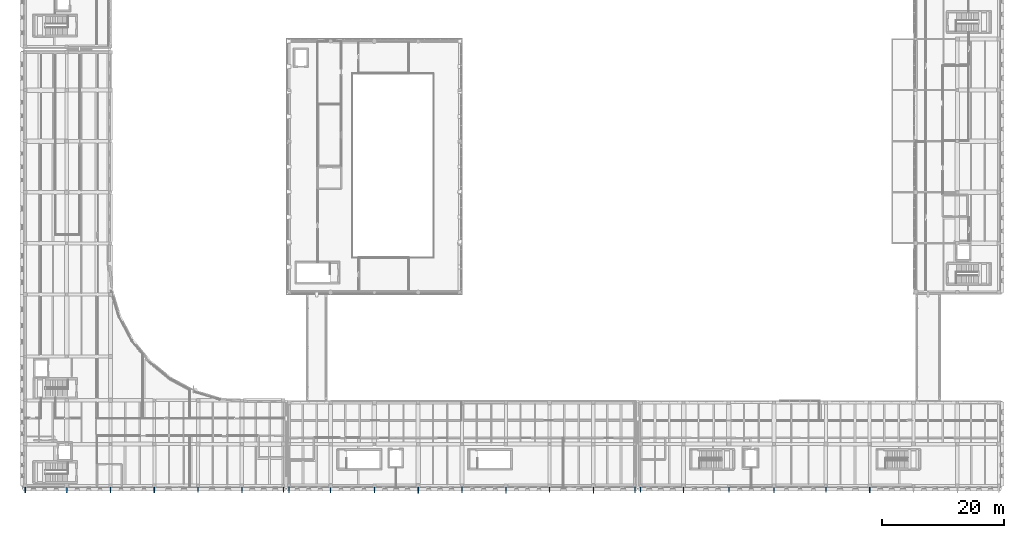
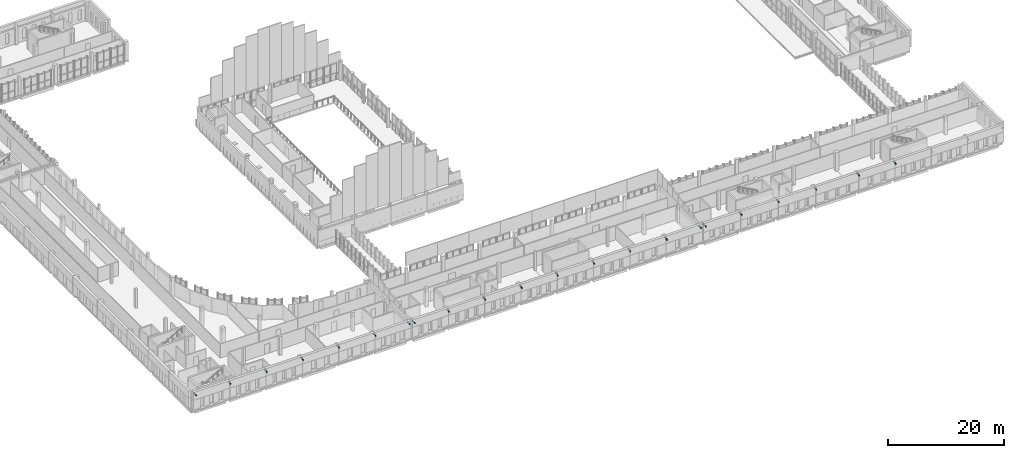
# One storey, part 36 of 76: 22 members.
"""IFC4 building model written with IfcOpenShell, lengths in metres."""

from ifc_helpers import new_model, si_unit, direction, frame, origin, origin_2d, place, context, subcontext, project, spatial, i_section, extrude, material, material_profile, profile_set, type_object, element, save


model = new_model("IFC4")

# Units and contexts
model_context = context("Model", 3, precision=1e-05, world=origin(), true_north=direction((0.0, 1.0)))
body_context = subcontext(model_context, "Body", "Model", "MODEL_VIEW")
ifc_project = project(units=[si_unit("LENGTHUNIT", "METRE"), si_unit("AREAUNIT", "SQUARE_METRE"), si_unit("VOLUMEUNIT", "CUBIC_METRE"), si_unit("PLANEANGLEUNIT", "RADIAN"), si_unit("MASSUNIT", "GRAM", prefix="KILO")], contexts=[model_context])

# Site, building, storey
site_placement = place(None, origin())
site = spatial("IfcSite", under=ifc_project, at=site_placement, CompositionType="ELEMENT")
building_placement = place(site_placement, origin())
building = spatial("IfcBuilding", under=site, at=building_placement, Name="Vardoun Plaza Health Centre", CompositionType="ELEMENT")
storey_placement = place(building_placement, frame((0.0, 0.0, 4.5)))
storey = spatial("IfcBuildingStorey", under=building, at=storey_placement, Name="L01", CompositionType="ELEMENT", Elevation=4.5)

# Members
ifc_material_1 = material(Name="Steel S355J2", Category="steel")
ifc_material_profile_1 = material_profile(ifc_material_1, i_section(OverallWidth=0.1201171875, OverallDepth=0.239990234375, WebThickness=0.006103515625, FlangeThickness=0.009765625, FilletRadius=0.014892578125, at=origin_2d()), Name="IPE 240")
ifc_profile_set_1 = profile_set([ifc_material_profile_1], Name="Steel S355J2")
member_type_1 = type_object("IfcMemberType", Name="CR-01", PredefinedType="RAFTER", material=ifc_profile_set_1)
for number, where, z_axis, x_axis, name in (
    (1, (18.89990234375, 4.675048828125, 3.669921875), (0.0, -1.0, 0.0), (1.0, 0.0, 0.0), "V2 L01 South Facade Shading Fin Arm SH-V2-L01-010"),
    (2, (62.280029296875, 4.675048828125, 3.635009765625), (0.0, -1.0, 0.0), (1.0, 0.0, 0.0), "V4 L01 South Facade Shading Fin Arm SH-V4-L01-050"),
):
    element("IfcMember", number, at=place(storey_placement, frame(where, z_axis=z_axis, x_axis=x_axis)), inside=storey, type_object=member_type_1, Name=name, PredefinedType="RAFTER", context=body_context, shape_type="SweptSolid", body=[
        extrude(i_section(OverallWidth=0.1201171875, OverallDepth=0.239990234375, WebThickness=0.006103515625, FlangeThickness=0.009765625, FilletRadius=0.014892578125, at=origin_2d()), origin(), (0.0, 0.0, 1.0), 0.949951171875),
    ])
member_1_placement = place(storey_placement, frame((98.280029296875, 4.60009765625, 3.635009765625), z_axis=(0.0, -1.0, 0.0), x_axis=(1.0, 0.0, 0.0)))
element("IfcMember", 3, at=member_1_placement, inside=storey, type_object=member_type_1, Name="V4 L01 South Facade Shading Fin Arm SH-V4-L01-055", PredefinedType="RAFTER", context=body_context, shape_type="SweptSolid", body=[
    extrude(i_section(OverallWidth=0.1201171875, OverallDepth=0.239990234375, WebThickness=0.006103515625, FlangeThickness=0.009765625, FilletRadius=0.014892578125, at=origin_2d()), origin(), (0.0, 0.0, 1.0), 0.9501953125),
])
member_2_placement = place(storey_placement, frame((136.5, 4.699951171875, 3.655029296875), z_axis=(0.0, -1.0, 0.0), x_axis=(1.0, 0.0, 0.0)))
element("IfcMember", 4, at=member_2_placement, inside=storey, type_object=member_type_1, Name="V5 L01 South Facade Shading Fin Arm SH-V5-L01-070", PredefinedType="RAFTER", context=body_context, shape_type="SweptSolid", body=[
    extrude(i_section(OverallWidth=0.1201171875, OverallDepth=0.239990234375, WebThickness=0.006103515625, FlangeThickness=0.009765625, FilletRadius=0.014892578125, at=origin_2d()), origin(), (0.0, 0.0, 1.0), 0.949951171875),
])
ifc_material_2 = material(Name="Steel S355J2", Category="steel")
ifc_material_profile_2 = material_profile(ifc_material_2, i_section(OverallWidth=0.110107421875, OverallDepth=0.219970703125, WebThickness=0.005859375, FlangeThickness=0.00927734375, FilletRadius=0.011962890625, at=origin_2d()), Name="IPE 220")
ifc_profile_set_2 = profile_set([ifc_material_profile_2], Name="Steel S355J2")
member_type_2 = type_object("IfcMemberType", Name="CR-02", PredefinedType="RAFTER", material=ifc_profile_set_2)
member_3_placement = place(storey_placement, frame((26.10009765625, 4.625, 3.669921875), z_axis=(0.0, -1.0, 0.0), x_axis=(1.0, 0.0, 0.0)))
element("IfcMember", 5, at=member_3_placement, inside=storey, type_object=member_type_2, Name="V2 L01 South Facade Shading Fin Arm SH-V2-L01-011", PredefinedType="RAFTER", context=body_context, shape_type="SweptSolid", body=[
    extrude(i_section(OverallWidth=0.110107421875, OverallDepth=0.219970703125, WebThickness=0.005859375, FlangeThickness=0.00927734375, FilletRadius=0.011962890625, at=origin_2d()), origin(), (0.0, 0.0, 1.0), 0.949951171875),
])
member_4_placement = place(storey_placement, frame((69.47998046875, 4.60009765625, 3.635009765625), z_axis=(0.0, -1.0, 0.0), x_axis=(1.0, 0.0, 0.0)))
element("IfcMember", 6, at=member_4_placement, inside=storey, type_object=member_type_2, Name="V4 L01 South Facade Shading Fin Arm SH-V4-L01-051", PredefinedType="RAFTER", context=body_context, shape_type="SweptSolid", body=[
    extrude(i_section(OverallWidth=0.110107421875, OverallDepth=0.219970703125, WebThickness=0.005859375, FlangeThickness=0.00927734375, FilletRadius=0.011962890625, at=origin_2d()), origin(), (0.0, 0.0, 1.0), 0.9501953125),
])
for number, where, z_axis, x_axis, name in (
    (7, (105.10009765625, 4.675048828125, 3.635009765625), (0.0, -1.0, 0.0), (1.0, 0.0, 0.0), "V4 L01 South Facade Shading Fin Arm SH-V4-L01-056"),
    (8, (106.0400390625, 4.699951171875, 3.655029296875), (0.0, -1.0, 0.0), (1.0, 0.0, 0.0), "V5 L01 South Facade Shading Fin Arm SH-V5-L01-066"),
    (9, (143.699951171875, 4.625, 3.655029296875), (0.0, -1.0, 0.0), (1.0, 0.0, 0.0), "V5 L01 South Facade Shading Fin Arm SH-V5-L01-071"),
):
    element("IfcMember", number, at=place(storey_placement, frame(where, z_axis=z_axis, x_axis=x_axis)), inside=storey, type_object=member_type_2, Name=name, PredefinedType="RAFTER", context=body_context, shape_type="SweptSolid", body=[
        extrude(i_section(OverallWidth=0.110107421875, OverallDepth=0.219970703125, WebThickness=0.005859375, FlangeThickness=0.00927734375, FilletRadius=0.011962890625, at=origin_2d()), origin(), (0.0, 0.0, 1.0), 0.949951171875),
    ])
ifc_material_3 = material(Name="Steel S355J2", Category="steel")
ifc_material_profile_3 = material_profile(ifc_material_3, i_section(OverallWidth=0.10009765625, OverallDepth=0.199951171875, WebThickness=0.005615234375, FlangeThickness=0.008544921875, FilletRadius=0.011962890625, at=origin_2d()), Name="IPE 200")
ifc_profile_set_3 = profile_set([ifc_material_profile_3], Name="Steel S355J2")
member_type_3 = type_object("IfcMemberType", Name="CR-03", PredefinedType="RAFTER", material=ifc_profile_set_3)
for number, where, z_axis, x_axis, name in (
    (10, (33.300048828125, 4.699951171875, 3.669921875), (0.0, -1.0, 0.0), (1.0, 0.0, 0.0), "V2 L01 South Facade Shading Fin Arm SH-V2-L01-012"),
    (11, (76.679931640625, 4.675048828125, 3.635009765625), (0.0, -1.0, 0.0), (1.0, 0.0, 0.0), "V4 L01 South Facade Shading Fin Arm SH-V4-L01-052"),
    (12, (113.10009765625, 4.625, 3.655029296875), (0.0, -1.0, 0.0), (1.0, 0.0, 0.0), "V5 L01 South Facade Shading Fin Arm SH-V5-L01-067"),
):
    element("IfcMember", number, at=place(storey_placement, frame(where, z_axis=z_axis, x_axis=x_axis)), inside=storey, type_object=member_type_3, Name=name, PredefinedType="RAFTER", context=body_context, shape_type="SweptSolid", body=[
        extrude(i_section(OverallWidth=0.10009765625, OverallDepth=0.199951171875, WebThickness=0.005615234375, FlangeThickness=0.008544921875, FilletRadius=0.011962890625, at=origin_2d()), origin(), (0.0, 0.0, 1.0), 0.949951171875),
    ])
ifc_material_4 = material(Name="Steel S355J2", Category="steel")
ifc_material_profile_4 = material_profile(ifc_material_4, i_section(OverallWidth=0.091064453125, OverallDepth=0.179931640625, WebThickness=0.00537109375, FlangeThickness=0.008056640625, FilletRadius=0.009033203125, at=origin_2d()), Name="IPE 180")
ifc_profile_set_4 = profile_set([ifc_material_profile_4], Name="Steel S355J2")
member_type_4 = type_object("IfcMemberType", Name="CR-04", PredefinedType="RAFTER", material=ifc_profile_set_4)
for number, where, z_axis, x_axis, name in (
    (13, (4.8798828125, 4.625, 3.669921875), (0.0, -1.0, 0.0), (1.0, 0.0, 0.0), "V2 L01 South Facade Shading Fin Arm SH-V2-L01-008"),
    (14, (40.5, 4.625, 3.669921875), (0.0, -1.0, 0.0), (1.0, 0.0, 0.0), "V2 L01 South Facade Shading Fin Arm SH-V2-L01-013"),
    (15, (48.260009765625, 4.675048828125, 3.635009765625), (0.0, -1.0, 0.0), (1.0, 0.0, 0.0), "V4 L01 South Facade Shading Fin Arm SH-V4-L01-048"),
):
    element("IfcMember", number, at=place(storey_placement, frame(where, z_axis=z_axis, x_axis=x_axis)), inside=storey, type_object=member_type_4, Name=name, PredefinedType="RAFTER", context=body_context, shape_type="SweptSolid", body=[
        extrude(i_section(OverallWidth=0.091064453125, OverallDepth=0.179931640625, WebThickness=0.00537109375, FlangeThickness=0.008056640625, FilletRadius=0.009033203125, at=origin_2d()), origin(), (0.0, 0.0, 1.0), 0.949951171875),
    ])
member_5_placement = place(storey_placement, frame((83.8798828125, 4.60009765625, 3.635009765625), z_axis=(0.0, -1.0, 0.0), x_axis=(1.0, 0.0, 0.0)))
element("IfcMember", 16, at=member_5_placement, inside=storey, type_object=member_type_4, Name="V4 L01 South Facade Shading Fin Arm SH-V4-L01-053", PredefinedType="RAFTER", context=body_context, shape_type="SweptSolid", body=[
    extrude(i_section(OverallWidth=0.091064453125, OverallDepth=0.179931640625, WebThickness=0.00537109375, FlangeThickness=0.008056640625, FilletRadius=0.009033203125, at=origin_2d()), origin(), (0.0, 0.0, 1.0), 0.9501953125),
])
member_6_placement = place(storey_placement, frame((120.5400390625, 4.699951171875, 3.655029296875), z_axis=(0.0, -1.0, 0.0), x_axis=(1.0, 0.0, 0.0)))
element("IfcMember", 17, at=member_6_placement, inside=storey, type_object=member_type_4, Name="V5 L01 South Facade Shading Fin Arm SH-V5-L01-068", PredefinedType="RAFTER", context=body_context, shape_type="SweptSolid", body=[
    extrude(i_section(OverallWidth=0.091064453125, OverallDepth=0.179931640625, WebThickness=0.00537109375, FlangeThickness=0.008056640625, FilletRadius=0.009033203125, at=origin_2d()), origin(), (0.0, 0.0, 1.0), 0.949951171875),
])
ifc_material_5 = material(Name="Steel S355J2", Category="steel")
ifc_material_profile_5 = material_profile(ifc_material_5, i_section(OverallWidth=0.199951171875, OverallDepth=0.18994140625, WebThickness=0.006591796875, FlangeThickness=0.010009765625, FilletRadius=0.01806640625, at=origin_2d()), Name="HEA 200")
ifc_profile_set_5 = profile_set([ifc_material_profile_5], Name="Steel S355J2")
member_type_5 = type_object("IfcMemberType", Name="CR-05", PredefinedType="RAFTER", material=ifc_profile_set_5)
for number, where, z_axis, x_axis, name in (
    (18, (11.699951171875, 4.574951171875, 3.669921875), (0.0, -1.0, 0.0), (1.0, 0.0, 0.0), "V2 L01 South Facade Shading Fin Arm SH-V2-L01-009"),
    (19, (47.320068359375, 4.699951171875, 3.669921875), (0.0, -1.0, 0.0), (1.0, 0.0, 0.0), "V2 L01 South Facade Shading Fin Arm SH-V2-L01-014"),
):
    element("IfcMember", number, at=place(storey_placement, frame(where, z_axis=z_axis, x_axis=x_axis)), inside=storey, type_object=member_type_5, Name=name, PredefinedType="RAFTER", context=body_context, shape_type="SweptSolid", body=[
        extrude(i_section(OverallWidth=0.199951171875, OverallDepth=0.18994140625, WebThickness=0.006591796875, FlangeThickness=0.010009765625, FilletRadius=0.01806640625, at=origin_2d()), origin(), (0.0, 0.0, 1.0), 0.949951171875),
    ])
member_7_placement = place(storey_placement, frame((55.080078125, 4.60009765625, 3.635009765625), z_axis=(0.0, -1.0, 0.0), x_axis=(1.0, 0.0, 0.0)))
element("IfcMember", 20, at=member_7_placement, inside=storey, type_object=member_type_5, Name="V4 L01 South Facade Shading Fin Arm SH-V4-L01-049", PredefinedType="RAFTER", context=body_context, shape_type="SweptSolid", body=[
    extrude(i_section(OverallWidth=0.199951171875, OverallDepth=0.18994140625, WebThickness=0.006591796875, FlangeThickness=0.010009765625, FilletRadius=0.01806640625, at=origin_2d()), origin(), (0.0, 0.0, 1.0), 0.9501953125),
])
for number, where, z_axis, x_axis, name in (
    (21, (91.080078125, 4.675048828125, 3.635009765625), (0.0, -1.0, 0.0), (1.0, 0.0, 0.0), "V4 L01 South Facade Shading Fin Arm SH-V4-L01-054"),
    (22, (127.97998046875, 4.625, 3.655029296875), (0.0, -1.0, 0.0), (1.0, 0.0, 0.0), "V5 L01 South Facade Shading Fin Arm SH-V5-L01-069"),
):
    element("IfcMember", number, at=place(storey_placement, frame(where, z_axis=z_axis, x_axis=x_axis)), inside=storey, type_object=member_type_5, Name=name, PredefinedType="RAFTER", context=body_context, shape_type="SweptSolid", body=[
        extrude(i_section(OverallWidth=0.199951171875, OverallDepth=0.18994140625, WebThickness=0.006591796875, FlangeThickness=0.010009765625, FilletRadius=0.01806640625, at=origin_2d()), origin(), (0.0, 0.0, 1.0), 0.949951171875),
    ])

save(model, "model.ifc")
